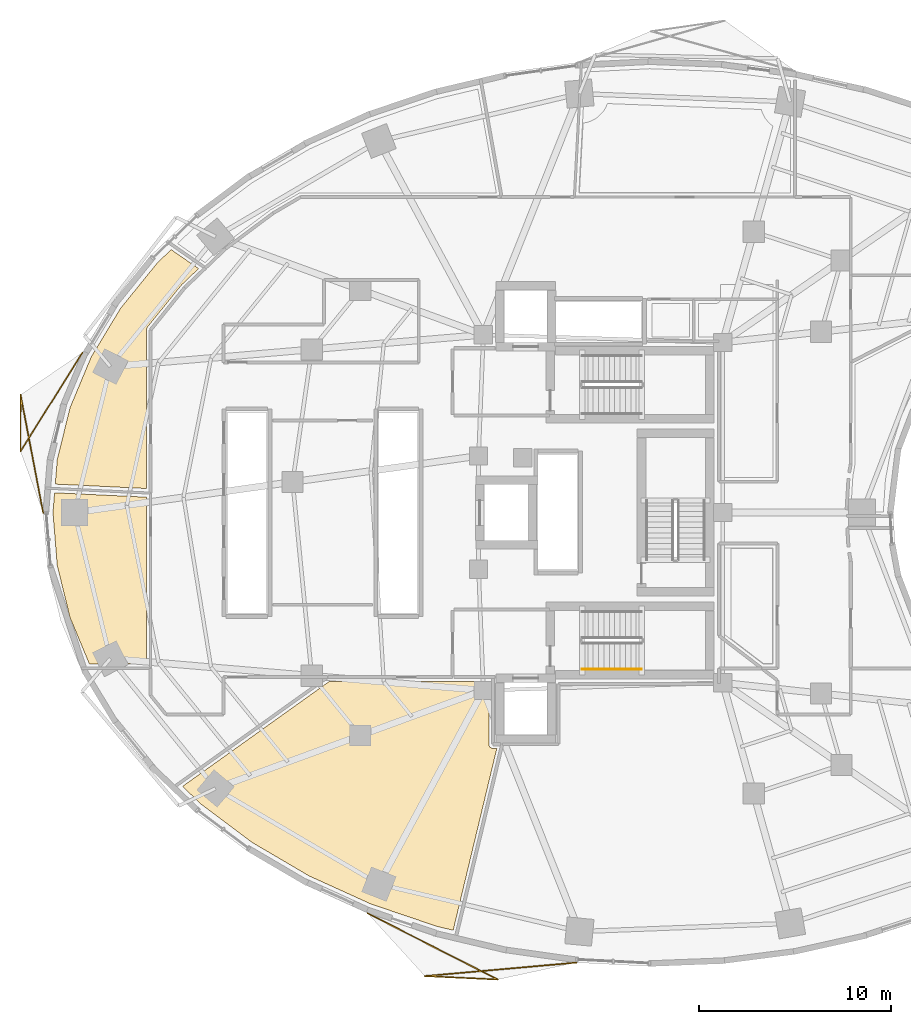
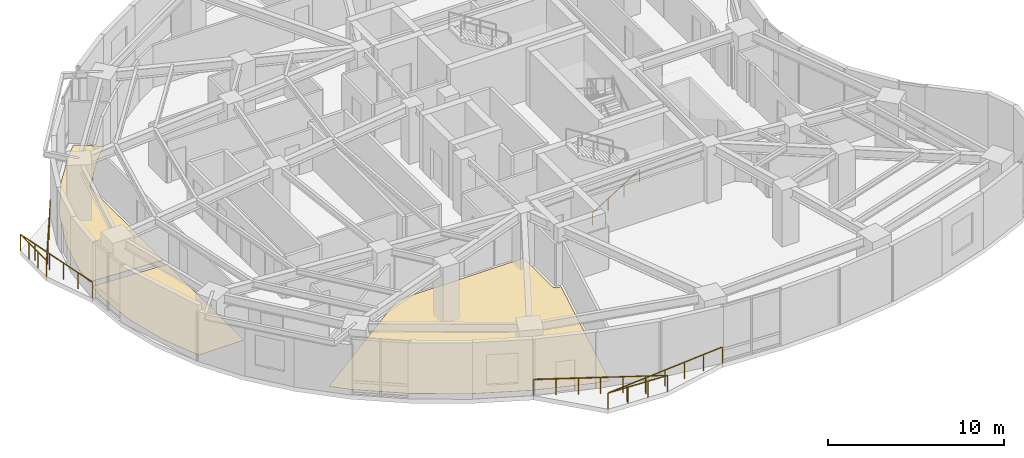
# One storey, part 15 of 17: 3 coverings, 3 railings.
"""IFC4 building model written with IfcOpenShell, lengths in metres."""

from ifc_helpers import new_model, si_unit, direction, frame, origin, origin_2d, place, context, subcontext, project, spatial, polyline, rectangle, outline, extrude, material, layer, layer_set, type_object, element, save


model = new_model("IFC4")

# Units and contexts
model_context = context("Model", 3, precision=1e-05, world=origin(), true_north=direction((0.0, 1.0)))
body_context = subcontext(model_context, "Body", "Model", "MODEL_VIEW")
ifc_project = project(units=[si_unit("LENGTHUNIT", "METRE"), si_unit("AREAUNIT", "SQUARE_METRE"), si_unit("VOLUMEUNIT", "CUBIC_METRE"), si_unit("PLANEANGLEUNIT", "RADIAN"), si_unit("MASSUNIT", "GRAM", prefix="KILO")], contexts=[model_context])

# Site, building, storey
site_placement = place(None, origin())
site = spatial("IfcSite", under=ifc_project, at=site_placement, CompositionType="ELEMENT")
building_placement = place(site_placement, origin())
building = spatial("IfcBuilding", under=site, at=building_placement, Name="Korentha Bioscience Tower", CompositionType="ELEMENT")
storey_placement = place(building_placement, frame((0.0, 0.0, 25.800048828125)))
storey = spatial("IfcBuildingStorey", under=building, at=storey_placement, Name="L05", CompositionType="ELEMENT", Elevation=25.800048828125)

# Railings
ifc_material_1 = material(Name="Stainless Steel 304", Category="steel")
railing_type_1 = type_object("IfcRailingType", Name="Brushed Stainless Stair Handrail 900", PredefinedType="HANDRAIL", material=ifc_material_1)
railing_1_placement = place(storey_placement, frame((30.25, 18.85009765625, 0.175048828125)))
element("IfcRailing", 1, at=railing_1_placement, inside=storey, type_object=railing_type_1, Name="L05 ST-2 stair handrail 1", PredefinedType="HANDRAIL", context=body_context, shape_type="SweptSolid", body=[
    extrude(rectangle(XDim=0.048095703125, YDim=0.048095703125, at=origin_2d()), frame((0.0, 0.0, 0.8759765625), z_axis=(0.848028513186, 0.0, 0.529950602248), x_axis=(0.0, 1.0, 0.0)), (0.0, 0.0, 1.0), 3.632080078125),
    extrude(rectangle(XDim=0.0419921875, YDim=0.0419921875, at=origin_2d()), origin(), (0.0, 0.0, 1.0), 0.851806640625),
    extrude(rectangle(XDim=0.0419921875, YDim=0.0419921875, at=origin_2d()), frame((1.026611328125, 0.0, 0.6416015625)), (0.0, 0.0, 1.0), 0.851806640625),
    extrude(rectangle(XDim=0.0419921875, YDim=0.0419921875, at=origin_2d()), frame((2.053466796875, 0.0, 1.283203125)), (0.0, 0.0, 1.0), 0.851806640625),
    extrude(rectangle(XDim=0.0419921875, YDim=0.0419921875, at=origin_2d()), frame((3.080078125, 0.0, 1.9248046875)), (0.0, 0.0, 1.0), 0.851806640625),
])
ifc_material_2 = material(Name="Laminated Tempered Safety Glass", Category="glass")
railing_type_2 = type_object("IfcRailingType", Name="Laminated Glass Balcony Guardrail 1150", PredefinedType="BALUSTRADE", material=ifc_material_2)
railing_2_placement = place(storey_placement, frame((4.246337890625, 35.3291015625, 0.0)))
element("IfcRailing", 2, at=railing_2_placement, inside=storey, type_object=railing_type_2, Name="L05 Balcony Guardrail 02", PredefinedType="BALUSTRADE", context=body_context, shape_type="SweptSolid", body=[
    extrude(rectangle(XDim=0.048095703125, YDim=0.048095703125, at=origin_2d()), frame((0.0, 0.0, 1.1259765625), z_axis=(-0.530529545818, -0.847666444431, 0.0), x_axis=(0.847666444431, -0.530529545818, 0.0)), (0.0, 0.0, 1.0), 6.07861328125),
    extrude(rectangle(XDim=0.048095703125, YDim=0.048095703125, at=origin_2d()), frame((-3.224853515625, -5.152587890625, 1.1259765625), z_axis=(0.001898939773, 0.999998197012, 0.0), x_axis=(-0.999998197012, 0.001898939773, 0.0)), (0.0, 0.0, 1.0), 2.95703125),
    extrude(rectangle(XDim=0.048095703125, YDim=0.048095703125, at=origin_2d()), frame((-3.21923828125, -2.195556640625, 1.1259765625), z_axis=(0.18781629778, -0.982204173422, 0.0), x_axis=(0.982204173422, 0.18781629778, 0.0)), (0.0, 0.0, 1.0), 6.24462890625),
    extrude(rectangle(XDim=0.0419921875, YDim=0.0419921875, at=origin_2d()), origin(), (0.0, 0.0, 1.0), 1.101806640625),
    extrude(rectangle(XDim=0.0419921875, YDim=0.0419921875, at=origin_2d()), frame((-0.64501953125, -1.030517578125, 0.0)), (0.0, 0.0, 1.0), 1.101806640625),
    extrude(rectangle(XDim=0.0419921875, YDim=0.0419921875, at=origin_2d()), frame((-1.2900390625, -2.06103515625, 0.0)), (0.0, 0.0, 1.0), 1.101806640625),
    extrude(rectangle(XDim=0.0419921875, YDim=0.0419921875, at=origin_2d()), frame((-1.934814453125, -3.091552734375, 0.0)), (0.0, 0.0, 1.0), 1.101806640625),
    extrude(rectangle(XDim=0.0419921875, YDim=0.0419921875, at=origin_2d()), frame((-2.579833984375, -4.1220703125, 0.0)), (0.0, 0.0, 1.0), 1.101806640625),
    extrude(rectangle(XDim=0.0419921875, YDim=0.0419921875, at=origin_2d()), frame((-3.224853515625, -5.152587890625, 0.0)), (0.0, 0.0, 1.0), 1.101806640625),
    extrude(rectangle(XDim=0.0419921875, YDim=0.0419921875, at=origin_2d()), frame((-3.222900390625, -4.1669921875, 0.0)), (0.0, 0.0, 1.0), 1.101806640625),
    extrude(rectangle(XDim=0.0419921875, YDim=0.0419921875, at=origin_2d()), frame((-3.22119140625, -3.18115234375, 0.0)), (0.0, 0.0, 1.0), 1.101806640625),
    extrude(rectangle(XDim=0.0419921875, YDim=0.0419921875, at=origin_2d()), frame((-3.21923828125, -2.195556640625, 0.0)), (0.0, 0.0, 1.0), 1.101806640625),
    extrude(rectangle(XDim=0.0419921875, YDim=0.0419921875, at=origin_2d()), frame((-2.984619140625, -3.42236328125, 0.0)), (0.0, 0.0, 1.0), 1.101806640625),
    extrude(rectangle(XDim=0.0419921875, YDim=0.0419921875, at=origin_2d()), frame((-2.75, -4.64892578125, 0.0)), (0.0, 0.0, 1.0), 1.101806640625),
    extrude(rectangle(XDim=0.0419921875, YDim=0.0419921875, at=origin_2d()), frame((-2.515625, -5.875732421875, 0.0)), (0.0, 0.0, 1.0), 1.101806640625),
    extrude(rectangle(XDim=0.0419921875, YDim=0.0419921875, at=origin_2d()), frame((-2.281005859375, -7.102294921875, 0.0)), (0.0, 0.0, 1.0), 1.101806640625),
    extrude(rectangle(XDim=0.0419921875, YDim=0.0419921875, at=origin_2d()), frame((-2.04638671875, -8.3291015625, 0.0)), (0.0, 0.0, 1.0), 1.101806640625),
])
railing_3_placement = place(storey_placement, frame((19.07080078125, 6.162353515625, 0.0)))
element("IfcRailing", 3, at=railing_3_placement, inside=storey, type_object=railing_type_2, Name="L05 Balcony Guardrail 03", PredefinedType="BALUSTRADE", context=body_context, shape_type="SweptSolid", body=[
    extrude(rectangle(XDim=0.048095703125, YDim=0.048095703125, at=origin_2d()), frame((0.0, 0.0, 1.1259765625), z_axis=(0.891319654486, -0.45337542228, 0.0), x_axis=(0.45337542228, 0.891319654486, 0.0)), (0.0, 0.0, 1.0), 7.610107421875),
    extrude(rectangle(XDim=0.048095703125, YDim=0.048095703125, at=origin_2d()), frame((6.782958984375, -3.4501953125, 1.1259765625), z_axis=(-0.998888075522, 0.047144592276, 0.0), x_axis=(-0.047144592276, -0.998888075522, 0.0)), (0.0, 0.0, 1.0), 3.80615234375),
    extrude(rectangle(XDim=0.048095703125, YDim=0.048095703125, at=origin_2d()), frame((2.98095703125, -3.270751953125, 1.1259765625), z_axis=(0.996070888577, 0.088559499377, 0.0), x_axis=(-0.088559499377, 0.996070888577, 0.0)), (0.0, 0.0, 1.0), 7.920166015625),
    extrude(rectangle(XDim=0.0419921875, YDim=0.0419921875, at=origin_2d()), origin(), (0.0, 0.0, 1.0), 1.101806640625),
    extrude(rectangle(XDim=0.0419921875, YDim=0.0419921875, at=origin_2d()), frame((1.13037109375, -0.574951171875, 0.0)), (0.0, 0.0, 1.0), 1.101806640625),
    extrude(rectangle(XDim=0.0419921875, YDim=0.0419921875, at=origin_2d()), frame((2.260986328125, -1.150146484375, 0.0)), (0.0, 0.0, 1.0), 1.101806640625),
    extrude(rectangle(XDim=0.0419921875, YDim=0.0419921875, at=origin_2d()), frame((3.3916015625, -1.72509765625, 0.0)), (0.0, 0.0, 1.0), 1.101806640625),
    extrude(rectangle(XDim=0.0419921875, YDim=0.0419921875, at=origin_2d()), frame((4.52197265625, -2.300048828125, 0.0)), (0.0, 0.0, 1.0), 1.101806640625),
    extrude(rectangle(XDim=0.0419921875, YDim=0.0419921875, at=origin_2d()), frame((5.65234375, -2.875244140625, 0.0)), (0.0, 0.0, 1.0), 1.101806640625),
    extrude(rectangle(XDim=0.0419921875, YDim=0.0419921875, at=origin_2d()), frame((6.782958984375, -3.4501953125, 0.0)), (0.0, 0.0, 1.0), 1.101806640625),
    extrude(rectangle(XDim=0.0419921875, YDim=0.0419921875, at=origin_2d()), frame((5.515625, -3.390380859375, 0.0)), (0.0, 0.0, 1.0), 1.101806640625),
    extrude(rectangle(XDim=0.0419921875, YDim=0.0419921875, at=origin_2d()), frame((4.248291015625, -3.33056640625, 0.0)), (0.0, 0.0, 1.0), 1.101806640625),
    extrude(rectangle(XDim=0.0419921875, YDim=0.0419921875, at=origin_2d()), frame((2.98095703125, -3.270751953125, 0.0)), (0.0, 0.0, 1.0), 1.101806640625),
    extrude(rectangle(XDim=0.0419921875, YDim=0.0419921875, at=origin_2d()), frame((4.2958984375, -3.15380859375, 0.0)), (0.0, 0.0, 1.0), 1.101806640625),
    extrude(rectangle(XDim=0.0419921875, YDim=0.0419921875, at=origin_2d()), frame((5.610595703125, -3.036865234375, 0.0)), (0.0, 0.0, 1.0), 1.101806640625),
    extrude(rectangle(XDim=0.0419921875, YDim=0.0419921875, at=origin_2d()), frame((6.925537109375, -2.919921875, 0.0)), (0.0, 0.0, 1.0), 1.101806640625),
    extrude(rectangle(XDim=0.0419921875, YDim=0.0419921875, at=origin_2d()), frame((8.240478515625, -2.80322265625, 0.0)), (0.0, 0.0, 1.0), 1.101806640625),
    extrude(rectangle(XDim=0.0419921875, YDim=0.0419921875, at=origin_2d()), frame((9.55517578125, -2.686279296875, 0.0)), (0.0, 0.0, 1.0), 1.101806640625),
    extrude(rectangle(XDim=0.0419921875, YDim=0.0419921875, at=origin_2d()), frame((10.8701171875, -2.5693359375, 0.0)), (0.0, 0.0, 1.0), 1.101806640625),
])

# Coverings
ifc_material_3 = material(Name="Chemical-Resistant Epoxy Resin", Category="polymer")
ifc_layer = layer(ifc_material_3, 0.011962890625, Name="Chemical-Resistant Epoxy Resin")
ifc_layer_set = layer_set([ifc_layer], Name="Chemical-Resistant Epoxy Resin (FL-EPX)")
covering_type = type_object("IfcCoveringType", Name="Seamless Epoxy Laboratory Flooring 12", PredefinedType="FLOORING", material=ifc_layer_set)
covering_1_placement = place(storey_placement, origin())
element("IfcCovering", 4, at=covering_1_placement, inside=storey, type_object=covering_type, Name="L05 Research Colloquium Seminar Room 02 Floor Finish", PredefinedType="FLOORING", context=body_context, shape_type="SweptSolid", body=[
    extrude(outline(polyline([(2.711669921875, 27.0), (2.79541015625, 28.031982421875), (7.570068359375, 27.80322265625), (7.570068359375, 19.1220703125), (4.610595703125, 19.1220703125), (3.600830078125, 21.53955078125), (2.9345703125, 24.251220703125), (2.711669921875, 27.0)])), origin(), (0.0, 0.0, 1.0), 0.011962890625),
])
covering_2_placement = place(storey_placement, origin())
element("IfcCovering", 5, at=covering_2_placement, inside=storey, type_object=covering_type, Name="L05 Biospecimen Archive Store 04 Floor Finish", PredefinedType="FLOORING", context=body_context, shape_type="SweptSolid", body=[
    extrude(outline(polyline([(16.0458984375, 8.09521484375), (13.09619140625, 9.826171875), (10.451904296875, 11.8037109375), (9.451416015625, 12.7578125), (17.07763671875, 18.2119140625), (25.3798828125, 18.219970703125), (25.38232421875, 14.92138671875), (25.424072265625, 14.82080078125), (25.50830078125, 14.75146484375), (25.5927734375, 14.730224609375), (25.79931640625, 14.72998046875), (23.52978515625, 5.275634765625), (22.687255859375, 5.474609375), (19.258544921875, 6.63720703125), (16.0458984375, 8.09521484375)])), origin(), (0.0, 0.0, 1.0), 0.011962890625),
])
covering_3_placement = place(storey_placement, origin())
element("IfcCovering", 6, at=covering_3_placement, inside=storey, type_object=covering_type, Name="L05 Instrument Calibration Workshop 16 Floor Finish", PredefinedType="FLOORING", context=body_context, shape_type="SweptSolid", body=[
    extrude(outline(polyline([(3.600830078125, 32.46044921875), (4.702392578125, 35.097900390625), (6.225830078125, 37.623779296875), (8.15087890625, 40.001953125), (8.86083984375, 40.678955078125), (10.28662109375, 39.689453125), (9.4033203125, 38.84619140625), (7.62109375, 36.64599609375), (7.57666015625, 36.55615234375), (7.570068359375, 28.253662109375), (2.831787109375, 28.480712890625), (2.9345703125, 29.748779296875), (3.600830078125, 32.46044921875)])), origin(), (0.0, 0.0, 1.0), 0.011962890625),
])

save(model, "model.ifc")
